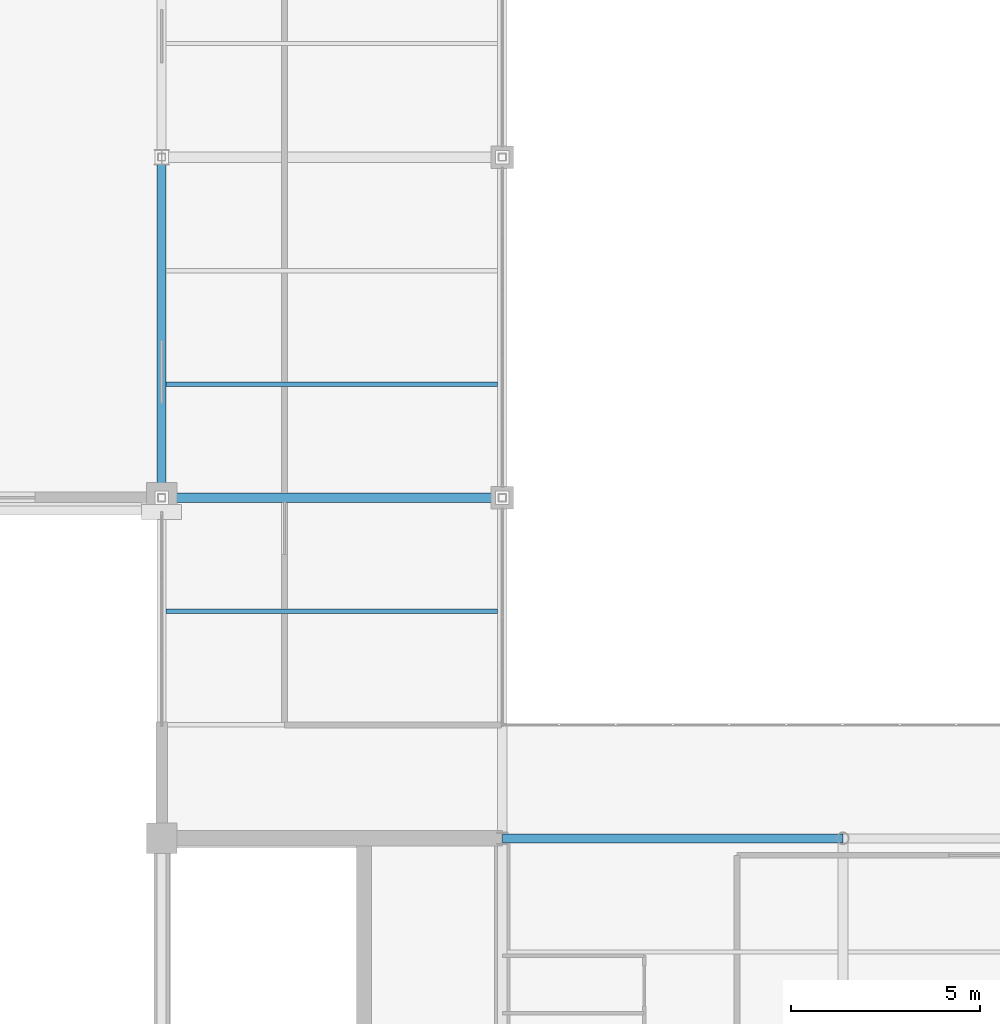
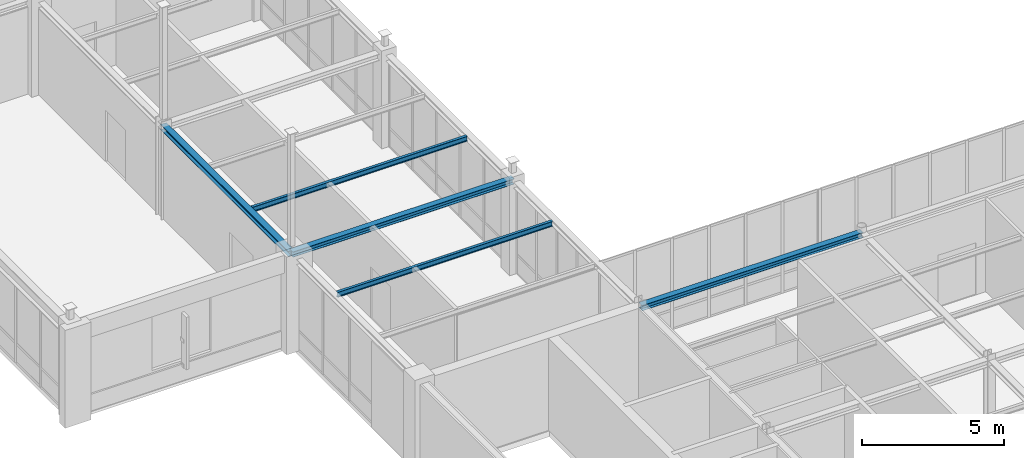
# One storey, part 8 of 36: 5 beams.
"""IFC4 building model written with IfcOpenShell, lengths in metres."""

import ifcopenshell
import ifcopenshell.guid

model = None  # the IFC model being written
_history = None  # IfcOwnerHistory: only IFC2X3 demands one
_inside = {}  # id of a spatial element -> (the spatial element, [elements in it])
_under = {}  # id of a project, library or spatial element -> (it, [spatial elements below it])
_declared = {}  # id of a project -> (the project, [libraries it declares])
_typed = {}  # id of a type object -> (the type object, [elements of that type])
_made_of = {}  # id of a material, layer set ... -> (it, [elements and type objects made of it])


def new_model(schema):
    """Start an empty IFC model of exactly this schema.

    Asked for "IFC4X3", IfcOpenShell would pick the latest addendum, in which some entities
    have other attributes; the version numbers below select the first issue.
    IFC2X3 requires an IfcOwnerHistory on every rooted entity: one is made here for all.
    """
    global model, _history
    if schema == "IFC4X3":
        model = ifcopenshell.file(schema_version=(4, 3, 0, 0))
    else:
        model = ifcopenshell.file(schema=schema)
    _inside.clear()
    _under.clear()
    _declared.clear()
    _typed.clear()
    _made_of.clear()
    _history = None
    if model.schema == "IFC2X3":
        org = make("IfcOrganization", Name="unknown")
        user = make(
            "IfcPersonAndOrganization",
            ThePerson=make("IfcPerson", FamilyName="unknown"),
            TheOrganization=org,
        )
        app = make(
            "IfcApplication",
            ApplicationDeveloper=org,
            Version="unknown",
            ApplicationFullName="unknown",
            ApplicationIdentifier="unknown",
        )
        _history = make(
            "IfcOwnerHistory",
            OwningUser=user,
            OwningApplication=app,
            ChangeAction="ADDED",
            CreationDate=0,
        )
    return model


def make(cls, **values):
    """One entity of the class cls with the attributes given. An attribute that is None is left unset."""
    return model.create_entity(
        cls, **{name: value for name, value in values.items() if value is not None}
    )


def rooted(cls, **values):
    """An entity with a GlobalId (a new one), such as an element, a storey or a relation."""
    return make(cls, GlobalId=ifcopenshell.guid.new(), OwnerHistory=_history, **values)


def si_unit(unit_type, name, prefix=None):
    """IfcSIUnit, for example si_unit("LENGTHUNIT", "METRE", prefix="MILLI")."""
    return make("IfcSIUnit", UnitType=unit_type, Prefix=prefix, Name=name)


def assignment(units):
    """IfcUnitAssignment: the units of a project."""
    return None if units is None else make("IfcUnitAssignment", Units=units)


def point(xyz):
    """IfcCartesianPoint."""
    return None if xyz is None else make("IfcCartesianPoint", Coordinates=xyz)


def direction(xyz):
    """IfcDirection."""
    return None if xyz is None else make("IfcDirection", DirectionRatios=xyz)


def frame(location, z_axis=None, x_axis=None):
    """IfcAxis2Placement3D, a coordinate frame: its origin and axes. An axis left out is left unset."""
    return make(
        "IfcAxis2Placement3D",
        Location=point(location),
        Axis=direction(z_axis),
        RefDirection=direction(x_axis),
    )


def frame_2d(location, x_axis=None):
    """IfcAxis2Placement2D, a coordinate frame in the plane: its origin and x axis."""
    return make(
        "IfcAxis2Placement2D", Location=point(location), RefDirection=direction(x_axis)
    )


def origin():
    """The frame at (0, 0, 0) with its axes left unset."""
    return frame((0.0, 0.0, 0.0))


def origin_2d():
    """The frame at (0, 0) in the plane with its x axis left unset."""
    return frame_2d((0.0, 0.0))


def place(relative_to, where):
    """IfcLocalPlacement: puts the frame where relative to a parent placement (None: the world)."""
    return make(
        "IfcLocalPlacement", PlacementRelTo=relative_to, RelativePlacement=where
    )


def context(
    kind, dimensions, precision=None, world=None, true_north=None, identifier=None
):
    """IfcGeometricRepresentationContext, for example the 3D "Model" context."""
    return make(
        "IfcGeometricRepresentationContext",
        ContextIdentifier=identifier,
        ContextType=kind,
        CoordinateSpaceDimension=dimensions,
        Precision=precision,
        WorldCoordinateSystem=world,
        TrueNorth=true_north,
    )


def subcontext(parent, identifier, kind, view, scale=None):
    """IfcGeometricRepresentationSubContext, for example "Body" below "Model"."""
    return make(
        "IfcGeometricRepresentationSubContext",
        ContextIdentifier=identifier,
        ContextType=kind,
        ParentContext=parent,
        TargetScale=scale,
        TargetView=view,
    )


def project(units=None, contexts=None):
    """IfcProject with its units and contexts."""
    return rooted(
        "IfcProject",
        Name="project",
        RepresentationContexts=contexts,
        UnitsInContext=assignment(units),
    )


def spatial(cls, under=None, at=None, **own):
    """A site, building, storey or space (cls), placed at a placement, below another one or the project."""
    s = rooted(cls, ObjectPlacement=at, **own)
    if under is not None:
        _under.setdefault(under.id(), (under, []))[1].append(s)
    return s


def profile(cls, at=None, kind="AREA", **sizes):
    """A parametric profile (cls). Its sizes go by their IFC names, for example OverallWidth=200.0."""
    return make(cls, ProfileType=kind, Position=at, **sizes)


def i_section(**sizes):
    """IfcIShapeProfileDef."""
    return profile("IfcIShapeProfileDef", **sizes)


def extrude(swept, where, along, depth):
    """IfcExtrudedAreaSolid: the profile swept, set in the frame where, extruded along a direction by depth."""
    return make(
        "IfcExtrudedAreaSolid",
        SweptArea=swept,
        Position=where,
        ExtrudedDirection=direction(along),
        Depth=depth,
    )


def shape(context_of_items, identifier, shape_type, items):
    """IfcShapeRepresentation: the items that make up one representation, for example the "Body"."""
    return make(
        "IfcShapeRepresentation",
        ContextOfItems=context_of_items,
        RepresentationIdentifier=identifier,
        RepresentationType=shape_type,
        Items=items,
    )


def material(Name=None, Category=None):
    """IfcMaterial."""
    return make("IfcMaterial", Name=Name, Category=Category)


def material_profile(
    of_material, cross_section, Name=None, Category=None, Priority=None
):
    """IfcMaterialProfile: a cross section and its material."""
    return make(
        "IfcMaterialProfile",
        Name=Name,
        Material=of_material,
        Profile=cross_section,
        Priority=Priority,
        Category=Category,
    )


def profile_set(profiles, Name=None, composite=None):
    """IfcMaterialProfileSet."""
    return make(
        "IfcMaterialProfileSet",
        Name=Name,
        MaterialProfiles=profiles,
        CompositeProfile=composite,
    )


def made_of(thing, what):
    """Note that an element or type object is made of a material, layer set ...; save() writes the relation."""
    if what is not None:
        _made_of.setdefault(what.id(), (what, []))[1].append(thing)
    return thing


def type_object(cls, material=None, **own):
    """A type object (cls), such as IfcWallType, which elements share."""
    return made_of(rooted(cls, **own), material)


def element(
    cls,
    number,
    at=None,
    inside=None,
    cuts=None,
    type_object=None,
    material=None,
    context=None,
    identifier="Body",
    shape_type=None,
    held_by="IfcProductDefinitionShape",
    body=None,
    shapes=None,
    **own,
):
    """One element of the class cls, such as IfcWall. Its Tag is "e" and its number.

    at: its placement. inside: the storey or other place that contains it. cuts: it is an
    opening in that element (IfcRelVoidsElement). A single representation is given by context,
    identifier, shape_type and body (its items); several are given by shapes. held_by: the class
    of the entity that holds the representations. save() writes the other relations.
    """
    e = rooted(cls, Tag="e%d" % number, ObjectPlacement=at, **own)
    if body is not None:
        shapes = [shape(context, identifier, shape_type, body)]
    if shapes is not None:
        e.Representation = make(held_by, Representations=shapes)
    if inside is not None:
        _inside.setdefault(inside.id(), (inside, []))[1].append(e)
    if cuts is not None:
        rooted(
            "IfcRelVoidsElement", RelatingBuildingElement=cuts, RelatedOpeningElement=e
        )
    if type_object is not None:
        _typed.setdefault(type_object.id(), (type_object, []))[1].append(e)
    return made_of(e, material)


def aggregate(whole, parts):
    """IfcRelAggregates: a whole, such as a stair, and the parts it consists of."""
    return rooted("IfcRelAggregates", RelatingObject=whole, RelatedObjects=parts)


def save(model, path):
    """Write the relations noted so far, then the file.

    IfcRelAggregates (storeys below a building ...), IfcRelContainedInSpatialStructure (elements
    in a storey), IfcRelDefinesByType, IfcRelAssociatesMaterial and IfcRelDeclares: one each for
    every whole, place, type object, material and project.
    """
    for whole, parts in _under.values():
        aggregate(whole, parts)
    for where, things in _inside.values():
        rooted(
            "IfcRelContainedInSpatialStructure",
            RelatedElements=things,
            RelatingStructure=where,
        )
    for kind, things in _typed.values():
        rooted("IfcRelDefinesByType", RelatedObjects=things, RelatingType=kind)
    for what, things in _made_of.values():
        rooted("IfcRelAssociatesMaterial", RelatedObjects=things, RelatingMaterial=what)
    for by, libraries in _declared.values():
        rooted("IfcRelDeclares", RelatingContext=by, RelatedDefinitions=libraries)
    model.write(path)


model = new_model("IFC4")

# Units and contexts
model_context = context("Model", 3, precision=1e-05, world=origin(), true_north=direction((0.0, 1.0)))
body_context = subcontext(model_context, "Body", "Model", "MODEL_VIEW")
ifc_project = project(units=[si_unit("LENGTHUNIT", "METRE"), si_unit("AREAUNIT", "SQUARE_METRE"), si_unit("VOLUMEUNIT", "CUBIC_METRE"), si_unit("PLANEANGLEUNIT", "RADIAN"), si_unit("MASSUNIT", "GRAM", prefix="KILO")], contexts=[model_context])

# Site, building, storey
site_placement = place(None, origin())
site = spatial("IfcSite", under=ifc_project, at=site_placement, CompositionType="ELEMENT")
building_placement = place(site_placement, origin())
building = spatial("IfcBuilding", under=site, at=building_placement, Name="Lykobir Media Centre", CompositionType="ELEMENT")
storey_placement = place(building_placement, frame((0.0, 0.0, 27.60009765625)))
storey = spatial("IfcBuildingStorey", under=building, at=storey_placement, Name="L06", CompositionType="ELEMENT", Elevation=27.60009765625)

# Beams
ifc_material = material(Name="Steel S355", Category="steel")
ifc_material_profile_1 = material_profile(ifc_material, i_section(OverallWidth=0.110107421875, OverallDepth=0.219970703125, WebThickness=0.005859375, FlangeThickness=0.00927734375, at=origin_2d()), Name="IPE 220")
ifc_profile_set_1 = profile_set([ifc_material_profile_1], Name="Steel S355")
beam_type_1 = type_object("IfcBeamType", Name="JS-IPE220", PredefinedType="JOIST", material=ifc_profile_set_1)
for number, where, z_axis, x_axis, name in (
    (1, (27.1201171875, 24.0, 3.849853515625), (1.0, 0.0, 0.0), (0.0, 1.0, 0.0), "Beam BM-L06-0271-0240-0359-0240-3145"),
    (2, (27.1201171875, 30.0, 3.869873046875), (1.0, 0.0, 0.0), (0.0, 1.0, 0.0), "Beam BM-L06-0271-0300-0359-0300-3147"),
):
    element("IfcBeam", number, at=place(storey_placement, frame(where, z_axis=z_axis, x_axis=x_axis)), inside=storey, type_object=beam_type_1, Name=name, PredefinedType="JOIST", context=body_context, shape_type="SweptSolid", body=[
        extrude(i_section(OverallWidth=0.110107421875, OverallDepth=0.219970703125, WebThickness=0.005859375, FlangeThickness=0.00927734375, at=origin_2d()), origin(), (0.0, 0.0, 1.0), 8.75),
    ])
ifc_material_profile_2 = material_profile(ifc_material, i_section(OverallWidth=0.239990234375, OverallDepth=0.22998046875, WebThickness=0.007568359375, FlangeThickness=0.011962890625, at=origin_2d()), Name="HEA 240")
ifc_profile_set_2 = profile_set([ifc_material_profile_2], Name="Steel S355")
beam_type_2 = type_object("IfcBeamType", Name="SP-HEA240", PredefinedType="SPANDREL", material=ifc_profile_set_2)
for number, where, z_axis, x_axis, name in (
    (3, (36.0, 18.0, 3.844970703125), (1.0, 0.0, 0.0), (0.0, 1.0, 0.0), "Beam BM-L06-0360-0180-0450-0180-3144"),
    (4, (27.0, 27.0, 3.844970703125), (1.0, 0.0, 0.0), (0.0, 1.0, 0.0), "Beam BM-L06-0270-0270-0360-0270-3144"),
    (5, (27.0, 27.0, 3.843017578125), (0.0, 1.0, 0.0), (-1.0, 0.0, 0.0), "Beam BM-L06-0270-0270-0270-0360-3146"),
):
    element("IfcBeam", number, at=place(storey_placement, frame(where, z_axis=z_axis, x_axis=x_axis)), inside=storey, type_object=beam_type_2, Name=name, PredefinedType="SPANDREL", context=body_context, shape_type="SweptSolid", body=[
        extrude(i_section(OverallWidth=0.239990234375, OverallDepth=0.22998046875, WebThickness=0.007568359375, FlangeThickness=0.011962890625, at=origin_2d()), origin(), (0.0, 0.0, 1.0), 9.0),
    ])

save(model, "model.ifc")
